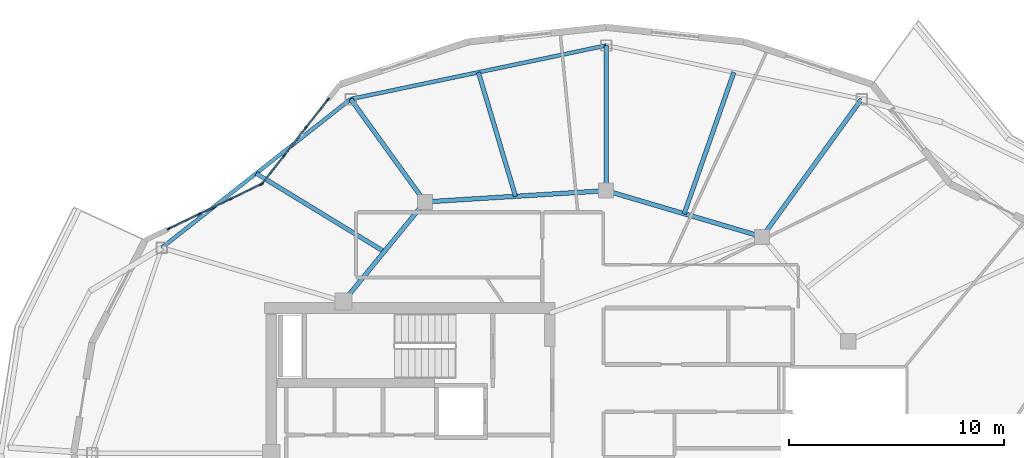
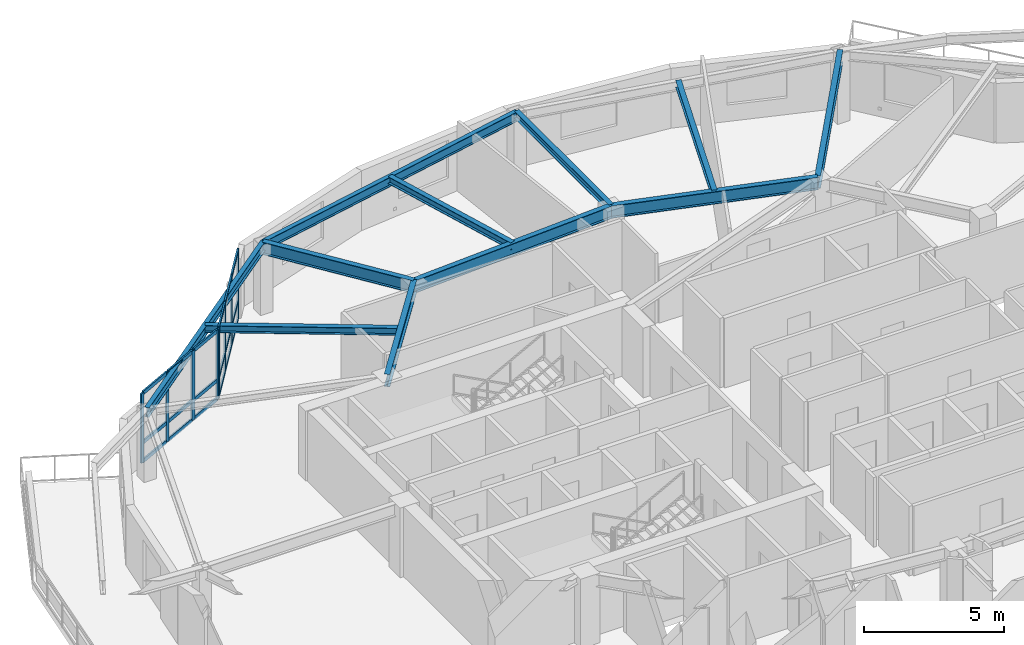
# One storey, part 4 of 14: 26 members, 11 beams, 2 elements without a shape of their own.
"""IFC4 building model written with IfcOpenShell, lengths in metres."""

from ifc_helpers import new_model, si_unit, direction, frame, origin, origin_2d, place, context, subcontext, project, spatial, rectangle, i_section, extrude, material, layer, layer_set, material_profile, profile_set, type_object, element, aggregate, save


model = new_model("IFC4")

# Units and contexts
model_context = context("Model", 3, precision=1e-05, world=origin(), true_north=direction((0.0, 1.0)))
body_context = subcontext(model_context, "Body", "Model", "MODEL_VIEW")
ifc_project = project(units=[si_unit("LENGTHUNIT", "METRE"), si_unit("AREAUNIT", "SQUARE_METRE"), si_unit("VOLUMEUNIT", "CUBIC_METRE"), si_unit("PLANEANGLEUNIT", "RADIAN"), si_unit("MASSUNIT", "GRAM", prefix="KILO")], contexts=[model_context])

# Site, building, storey
site_placement = place(None, origin())
site = spatial("IfcSite", under=ifc_project, at=site_placement, CompositionType="ELEMENT")
building_placement = place(site_placement, origin())
building = spatial("IfcBuilding", under=site, at=building_placement, Name="Kolvaren Gate Tower and Convention Centre", CompositionType="ELEMENT")
storey_placement = place(building_placement, frame((0.0, 0.0, 206.300048828125)))
storey = spatial("IfcBuildingStorey", under=building, at=storey_placement, Name="L54", CompositionType="ELEMENT", Elevation=206.300048828125)

# Curtain wall, members
ifc_material_1 = material(Name="Anodized Architectural Aluminium Alloy 6063-T6", Category="aluminium")
ifc_layer = layer(ifc_material_1, 0.159912109375)
ifc_layer_set = layer_set([ifc_layer], Name="Anodized Architectural Aluminium Alloy 6063-T6")
curtain_wall_type = type_object("IfcCurtainWallType", Name="CW-RES-UNIT", PredefinedType="NOTDEFINED", material=ifc_layer_set)
curtain_wall_1_placement = place(storey_placement, origin())
curtain_wall_1 = element("IfcCurtainWall", 1, at=curtain_wall_1_placement, inside=storey, type_object=curtain_wall_type, Name="Tower L54 Unitised Curtain Wall CW-RES-UNIT Bay 08", PredefinedType="NOTDEFINED")
ifc_material_profile_1 = material_profile(ifc_material_1, rectangle(XDim=0.06494140625, YDim=0.159912109375, at=origin_2d()), Name="CW-MEM-MUL-160")
ifc_profile_set_1 = profile_set([ifc_material_profile_1], Name="Anodized Architectural Aluminium Alloy 6063-T6")
member_type_1 = type_object("IfcMemberType", Name="CW-MEM-MUL-160", PredefinedType="MULLION", material=ifc_profile_set_1)
member_1_placement = place(storey_placement, frame((14.137451171875, 39.532958984375, 0.0), z_axis=(0.0, 0.0, 1.0), x_axis=(-0.787409932974, 0.616429718179, 0.0)))
member_1 = element("IfcMember", 2, at=member_1_placement, type_object=member_type_1, Name="CW-04 mullion 1", PredefinedType="MULLION", context=body_context, shape_type="SweptSolid", body=[
    extrude(rectangle(XDim=0.06494140625, YDim=0.159912109375, at=origin_2d()), origin(), (0.0, 0.0, 1.0), 3.030029296875),
])
member_2_placement = place(storey_placement, frame((15.1484375, 40.82421875, 0.0), z_axis=(0.0, 0.0, 1.0), x_axis=(-0.787409932974, 0.616429718179, 0.0)))
member_2 = element("IfcMember", 3, at=member_2_placement, type_object=member_type_1, Name="CW-04 mullion 2", PredefinedType="MULLION", context=body_context, shape_type="SweptSolid", body=[
    extrude(rectangle(XDim=0.06494140625, YDim=0.159912109375, at=origin_2d()), origin(), (0.0, 0.0, 1.0), 3.030029296875),
])
member_3_placement = place(storey_placement, frame((16.17919921875, 42.140869140625, 0.0), z_axis=(0.0, 0.0, 1.0), x_axis=(-0.787409932974, 0.616429718179, 0.0)))
member_3 = element("IfcMember", 4, at=member_3_placement, type_object=member_type_1, Name="CW-04 mullion 3", PredefinedType="MULLION", context=body_context, shape_type="SweptSolid", body=[
    extrude(rectangle(XDim=0.06494140625, YDim=0.159912109375, at=origin_2d()), origin(), (0.0, 0.0, 1.0), 3.030029296875),
])
member_4_placement = place(storey_placement, frame((17.190185546875, 43.43212890625, 0.0), z_axis=(0.0, 0.0, 1.0), x_axis=(-0.787409932974, 0.616429718179, 0.0)))
member_4 = element("IfcMember", 5, at=member_4_placement, type_object=member_type_1, Name="CW-04 mullion 4", PredefinedType="MULLION", context=body_context, shape_type="SweptSolid", body=[
    extrude(rectangle(XDim=0.06494140625, YDim=0.159912109375, at=origin_2d()), origin(), (0.0, 0.0, 1.0), 3.030029296875),
])

curtain_wall_2_placement = place(storey_placement, origin())
curtain_wall_2 = element("IfcCurtainWall", 6, at=curtain_wall_2_placement, inside=storey, type_object=curtain_wall_type, Name="Tower L54 Unitised Curtain Wall CW-RES-UNIT Bay 09", PredefinedType="NOTDEFINED")
member_5_placement = place(storey_placement, frame((9.78466796875, 37.425537109375, 0.0), z_axis=(0.0, 0.0, 1.0), x_axis=(-0.433065576861, 0.901362416644, 0.0)))
member_5 = element("IfcMember", 7, at=member_5_placement, type_object=member_type_1, Name="CW-04 mullion 1", PredefinedType="MULLION", context=body_context, shape_type="SweptSolid", body=[
    extrude(rectangle(XDim=0.06494140625, YDim=0.159912109375, at=origin_2d()), origin(), (0.0, 0.0, 1.0), 3.030029296875),
])
member_6_placement = place(storey_placement, frame((11.20947265625, 38.110107421875, 0.0), z_axis=(0.0, 0.0, 1.0), x_axis=(-0.433065576861, 0.901362416644, 0.0)))
member_6 = element("IfcMember", 8, at=member_6_placement, type_object=member_type_1, Name="CW-04 mullion 2", PredefinedType="MULLION", context=body_context, shape_type="SweptSolid", body=[
    extrude(rectangle(XDim=0.06494140625, YDim=0.159912109375, at=origin_2d()), origin(), (0.0, 0.0, 1.0), 3.030029296875),
])
member_7_placement = place(storey_placement, frame((12.66357421875, 38.80859375, 0.0), z_axis=(0.0, 0.0, 1.0), x_axis=(-0.433065576861, 0.901362416644, 0.0)))
member_7 = element("IfcMember", 9, at=member_7_placement, type_object=member_type_1, Name="CW-04 mullion 3", PredefinedType="MULLION", context=body_context, shape_type="SweptSolid", body=[
    extrude(rectangle(XDim=0.06494140625, YDim=0.159912109375, at=origin_2d()), origin(), (0.0, 0.0, 1.0), 3.030029296875),
])
member_8_placement = place(storey_placement, frame((14.088134765625, 39.4931640625, 0.0), z_axis=(0.0, 0.0, 1.0), x_axis=(-0.433065576861, 0.901362416644, 0.0)))
member_8 = element("IfcMember", 10, at=member_8_placement, type_object=member_type_1, Name="CW-04 mullion 4", PredefinedType="MULLION", context=body_context, shape_type="SweptSolid", body=[
    extrude(rectangle(XDim=0.06494140625, YDim=0.159912109375, at=origin_2d()), origin(), (0.0, 0.0, 1.0), 3.030029296875),
])

# Member
ifc_material_profile_2 = material_profile(ifc_material_1, rectangle(XDim=0.06494140625, YDim=0.159912109375, at=origin_2d()), Name="CW-MEM-TRN-160")
ifc_profile_set_2 = profile_set([ifc_material_profile_2], Name="Anodized Architectural Aluminium Alloy 6063-T6")
member_type_2 = type_object("IfcMemberType", Name="CW-MEM-TRN-160", PredefinedType="USERDEFINED", material=ifc_profile_set_2)
member_9_placement = place(storey_placement, frame((14.157470703125, 39.55859375, 0.032470703125), z_axis=(0.616513055725, 0.787344684443, 0.0), x_axis=(-0.787344684443, 0.616513055725, 0.0)))
member_9 = element("IfcMember", 11, at=member_9_placement, type_object=member_type_2, Name="CW-04 transom 1.1", ObjectType="TRANSOM", PredefinedType="USERDEFINED", context=body_context, shape_type="SweptSolid", body=[
    extrude(rectangle(XDim=0.06494140625, YDim=0.159912109375, at=origin_2d()), origin(), (0.0, 0.0, 1.0), 1.574951171875),
])

member_10_placement = place(storey_placement, frame((14.157470703125, 39.55859375, 0.849853515625), z_axis=(0.616513055725, 0.787344684443, 0.0), x_axis=(-0.787344684443, 0.616513055725, 0.0)))
member_10 = element("IfcMember", 12, at=member_10_placement, type_object=member_type_2, Name="CW-04 transom 1.2", ObjectType="TRANSOM", PredefinedType="USERDEFINED", context=body_context, shape_type="SweptSolid", body=[
    extrude(rectangle(XDim=0.06494140625, YDim=0.159912109375, at=origin_2d()), origin(), (0.0, 0.0, 1.0), 1.574951171875),
])

member_11_placement = place(storey_placement, frame((14.157470703125, 39.55859375, 2.99755859375), z_axis=(0.616513055725, 0.787344684443, 0.0), x_axis=(-0.787344684443, 0.616513055725, 0.0)))
member_11 = element("IfcMember", 13, at=member_11_placement, type_object=member_type_2, Name="CW-04 transom 1.3", ObjectType="TRANSOM", PredefinedType="USERDEFINED", context=body_context, shape_type="SweptSolid", body=[
    extrude(rectangle(XDim=0.06494140625, YDim=0.159912109375, at=origin_2d()), origin(), (0.0, 0.0, 1.0), 1.574951171875),
])

member_12_placement = place(storey_placement, frame((15.16845703125, 40.849609375, 0.032470703125), z_axis=(0.616398363045, 0.787434478567, 0.0), x_axis=(-0.787434478567, 0.616398363045, 0.0)))
member_12 = element("IfcMember", 14, at=member_12_placement, type_object=member_type_2, Name="CW-04 transom 2.1", ObjectType="TRANSOM", PredefinedType="USERDEFINED", context=body_context, shape_type="SweptSolid", body=[
    extrude(rectangle(XDim=0.06494140625, YDim=0.159912109375, at=origin_2d()), origin(), (0.0, 0.0, 1.0), 1.607177734375),
])

member_13_placement = place(storey_placement, frame((15.16845703125, 40.849609375, 0.849853515625), z_axis=(0.616398363045, 0.787434478567, 0.0), x_axis=(-0.787434478567, 0.616398363045, 0.0)))
member_13 = element("IfcMember", 15, at=member_13_placement, type_object=member_type_2, Name="CW-04 transom 2.2", ObjectType="TRANSOM", PredefinedType="USERDEFINED", context=body_context, shape_type="SweptSolid", body=[
    extrude(rectangle(XDim=0.06494140625, YDim=0.159912109375, at=origin_2d()), origin(), (0.0, 0.0, 1.0), 1.607177734375),
])

member_14_placement = place(storey_placement, frame((15.16845703125, 40.849609375, 2.99755859375), z_axis=(0.616398363045, 0.787434478567, 0.0), x_axis=(-0.787434478567, 0.616398363045, 0.0)))
member_14 = element("IfcMember", 16, at=member_14_placement, type_object=member_type_2, Name="CW-04 transom 2.3", ObjectType="TRANSOM", PredefinedType="USERDEFINED", context=body_context, shape_type="SweptSolid", body=[
    extrude(rectangle(XDim=0.06494140625, YDim=0.159912109375, at=origin_2d()), origin(), (0.0, 0.0, 1.0), 1.607177734375),
])

member_15_placement = place(storey_placement, frame((16.19921875, 42.16650390625, 0.032470703125), z_axis=(0.616416943475, 0.787419933579, 0.0), x_axis=(-0.787419933579, 0.616416943475, 0.0)))
member_15 = element("IfcMember", 17, at=member_15_placement, type_object=member_type_2, Name="CW-04 transom 3.1", ObjectType="TRANSOM", PredefinedType="USERDEFINED", context=body_context, shape_type="SweptSolid", body=[
    extrude(rectangle(XDim=0.06494140625, YDim=0.159912109375, at=origin_2d()), origin(), (0.0, 0.0, 1.0), 1.57470703125),
])

member_16_placement = place(storey_placement, frame((16.19921875, 42.16650390625, 0.849853515625), z_axis=(0.616416943475, 0.787419933579, 0.0), x_axis=(-0.787419933579, 0.616416943475, 0.0)))
member_16 = element("IfcMember", 18, at=member_16_placement, type_object=member_type_2, Name="CW-04 transom 3.2", ObjectType="TRANSOM", PredefinedType="USERDEFINED", context=body_context, shape_type="SweptSolid", body=[
    extrude(rectangle(XDim=0.06494140625, YDim=0.159912109375, at=origin_2d()), origin(), (0.0, 0.0, 1.0), 1.57470703125),
])

member_17_placement = place(storey_placement, frame((16.19921875, 42.16650390625, 2.99755859375), z_axis=(0.616416943475, 0.787419933579, 0.0), x_axis=(-0.787419933579, 0.616416943475, 0.0)))
member_17 = element("IfcMember", 19, at=member_17_placement, type_object=member_type_2, Name="CW-04 transom 3.3", ObjectType="TRANSOM", PredefinedType="USERDEFINED", context=body_context, shape_type="SweptSolid", body=[
    extrude(rectangle(XDim=0.06494140625, YDim=0.159912109375, at=origin_2d()), origin(), (0.0, 0.0, 1.0), 1.57470703125),
])

aggregate(curtain_wall_1, [member_1, member_2, member_3, member_4, member_9, member_10, member_11, member_12, member_13, member_14, member_15, member_16, member_17])

member_18_placement = place(storey_placement, frame((9.81396484375, 37.439697265625, 0.032470703125), z_axis=(0.901402369702, 0.432982410607, 0.0), x_axis=(-0.432982410607, 0.901402369702, 0.0)))
member_18 = element("IfcMember", 20, at=member_18_placement, type_object=member_type_2, Name="CW-04 transom 1.1", ObjectType="TRANSOM", PredefinedType="USERDEFINED", context=body_context, shape_type="SweptSolid", body=[
    extrude(rectangle(XDim=0.06494140625, YDim=0.159912109375, at=origin_2d()), origin(), (0.0, 0.0, 1.0), 1.515625),
])

member_19_placement = place(storey_placement, frame((9.81396484375, 37.439697265625, 0.849853515625), z_axis=(0.901402369702, 0.432982410607, 0.0), x_axis=(-0.432982410607, 0.901402369702, 0.0)))
member_19 = element("IfcMember", 21, at=member_19_placement, type_object=member_type_2, Name="CW-04 transom 1.2", ObjectType="TRANSOM", PredefinedType="USERDEFINED", context=body_context, shape_type="SweptSolid", body=[
    extrude(rectangle(XDim=0.06494140625, YDim=0.159912109375, at=origin_2d()), origin(), (0.0, 0.0, 1.0), 1.515625),
])

member_20_placement = place(storey_placement, frame((9.81396484375, 37.439697265625, 2.99755859375), z_axis=(0.901402369702, 0.432982410607, 0.0), x_axis=(-0.432982410607, 0.901402369702, 0.0)))
member_20 = element("IfcMember", 22, at=member_20_placement, type_object=member_type_2, Name="CW-04 transom 1.3", ObjectType="TRANSOM", PredefinedType="USERDEFINED", context=body_context, shape_type="SweptSolid", body=[
    extrude(rectangle(XDim=0.06494140625, YDim=0.159912109375, at=origin_2d()), origin(), (0.0, 0.0, 1.0), 1.515625),
])

member_21_placement = place(storey_placement, frame((11.23876953125, 38.124267578125, 0.032470703125), z_axis=(0.901380283866, 0.433028386896, 0.0), x_axis=(-0.433028386896, 0.901380283866, 0.0)))
member_21 = element("IfcMember", 23, at=member_21_placement, type_object=member_type_2, Name="CW-04 transom 2.1", ObjectType="TRANSOM", PredefinedType="USERDEFINED", context=body_context, shape_type="SweptSolid", body=[
    extrude(rectangle(XDim=0.06494140625, YDim=0.159912109375, at=origin_2d()), origin(), (0.0, 0.0, 1.0), 1.548095703125),
])

member_22_placement = place(storey_placement, frame((11.23876953125, 38.124267578125, 0.849853515625), z_axis=(0.901380283866, 0.433028386896, 0.0), x_axis=(-0.433028386896, 0.901380283866, 0.0)))
member_22 = element("IfcMember", 24, at=member_22_placement, type_object=member_type_2, Name="CW-04 transom 2.2", ObjectType="TRANSOM", PredefinedType="USERDEFINED", context=body_context, shape_type="SweptSolid", body=[
    extrude(rectangle(XDim=0.06494140625, YDim=0.159912109375, at=origin_2d()), origin(), (0.0, 0.0, 1.0), 1.548095703125),
])

member_23_placement = place(storey_placement, frame((11.23876953125, 38.124267578125, 2.99755859375), z_axis=(0.901380283866, 0.433028386896, 0.0), x_axis=(-0.433028386896, 0.901380283866, 0.0)))
member_23 = element("IfcMember", 25, at=member_23_placement, type_object=member_type_2, Name="CW-04 transom 2.3", ObjectType="TRANSOM", PredefinedType="USERDEFINED", context=body_context, shape_type="SweptSolid", body=[
    extrude(rectangle(XDim=0.06494140625, YDim=0.159912109375, at=origin_2d()), origin(), (0.0, 0.0, 1.0), 1.548095703125),
])

member_24_placement = place(storey_placement, frame((12.69287109375, 38.82275390625, 0.032470703125), z_axis=(0.901309275583, 0.433176164797, 0.0), x_axis=(-0.433176164797, 0.901309275583, 0.0)))
member_24 = element("IfcMember", 26, at=member_24_placement, type_object=member_type_2, Name="CW-04 transom 3.1", ObjectType="TRANSOM", PredefinedType="USERDEFINED", context=body_context, shape_type="SweptSolid", body=[
    extrude(rectangle(XDim=0.06494140625, YDim=0.159912109375, at=origin_2d()), origin(), (0.0, 0.0, 1.0), 1.515625),
])

member_25_placement = place(storey_placement, frame((12.69287109375, 38.82275390625, 0.849853515625), z_axis=(0.901309275583, 0.433176164797, 0.0), x_axis=(-0.433176164797, 0.901309275583, 0.0)))
member_25 = element("IfcMember", 27, at=member_25_placement, type_object=member_type_2, Name="CW-04 transom 3.2", ObjectType="TRANSOM", PredefinedType="USERDEFINED", context=body_context, shape_type="SweptSolid", body=[
    extrude(rectangle(XDim=0.06494140625, YDim=0.159912109375, at=origin_2d()), origin(), (0.0, 0.0, 1.0), 1.515625),
])

member_26_placement = place(storey_placement, frame((12.69287109375, 38.82275390625, 2.99755859375), z_axis=(0.901309275583, 0.433176164797, 0.0), x_axis=(-0.433176164797, 0.901309275583, 0.0)))
member_26 = element("IfcMember", 28, at=member_26_placement, type_object=member_type_2, Name="CW-04 transom 3.3", ObjectType="TRANSOM", PredefinedType="USERDEFINED", context=body_context, shape_type="SweptSolid", body=[
    extrude(rectangle(XDim=0.06494140625, YDim=0.159912109375, at=origin_2d()), origin(), (0.0, 0.0, 1.0), 1.515625),
])

aggregate(curtain_wall_2, [member_5, member_6, member_7, member_8, member_18, member_19, member_20, member_21, member_22, member_23, member_24, member_25, member_26])

# Beams
ifc_material_2 = material(Name="Structural steel ASTM A992 Grade 345 MPa", Category="steel")
ifc_material_profile_3 = material_profile(ifc_material_2, i_section(OverallWidth=0.2119140625, OverallDepth=0.5439453125, WebThickness=0.01318359375, FlangeThickness=0.021240234375, at=origin_2d()), Name="W530X123")
ifc_profile_set_3 = profile_set([ifc_material_profile_3], Name="Structural steel ASTM A992 Grade 345 MPa")
beam_type_1 = type_object("IfcBeamType", Name="STR-BM-W530X123", PredefinedType="BEAM", material=ifc_profile_set_3)
beam_1_placement = place(storey_placement, frame((37.381591796875, 37.054931640625, 2.758056640625), z_axis=(-0.958980837827, 0.283470902706, 0.0), x_axis=(-0.283470902706, -0.958980837827, 0.0)))
element("IfcBeam", 29, at=beam_1_placement, inside=storey, type_object=beam_type_1, Name="Tower L54 Primary Ring Girder G-03", PredefinedType="BEAM", context=body_context, shape_type="SweptSolid", body=[
    extrude(i_section(OverallWidth=0.2119140625, OverallDepth=0.5439453125, WebThickness=0.01318359375, FlangeThickness=0.021240234375, at=origin_2d()), origin(), (0.0, 0.0, 1.0), 7.56689453125),
])
beam_2_placement = place(storey_placement, frame((30.125, 39.199951171875, 2.758056640625), z_axis=(-0.998078258568, -0.06196603726, 0.0), x_axis=(0.06196603726, -0.998078258568, 0.0)))
element("IfcBeam", 30, at=beam_2_placement, inside=storey, type_object=beam_type_1, Name="Tower L54 Primary Ring Girder G-04", PredefinedType="BEAM", context=body_context, shape_type="SweptSolid", body=[
    extrude(i_section(OverallWidth=0.2119140625, OverallDepth=0.5439453125, WebThickness=0.01318359375, FlangeThickness=0.021240234375, at=origin_2d()), origin(), (0.0, 0.0, 1.0), 8.443115234375),
])
beam_3_placement = place(storey_placement, frame((21.697998046875, 38.6767578125, 2.758056640625), z_axis=(-0.633082074904, -0.774084676528, 0.0), x_axis=(0.774084676528, -0.633082074904, 0.0)))
element("IfcBeam", 31, at=beam_3_placement, inside=storey, type_object=beam_type_1, Name="Tower L54 Primary Ring Girder G-05", PredefinedType="BEAM", context=body_context, shape_type="SweptSolid", body=[
    extrude(i_section(OverallWidth=0.2119140625, OverallDepth=0.5439453125, WebThickness=0.01318359375, FlangeThickness=0.021240234375, at=origin_2d()), origin(), (0.0, 0.0, 1.0), 5.97705078125),
])
beam_4_placement = place(storey_placement, frame((37.381591796875, 37.054931640625, 2.758056640625), z_axis=(0.585211694794, 0.810880553643, 0.0), x_axis=(-0.810880553643, 0.585211694794, 0.0)))
element("IfcBeam", 32, at=beam_4_placement, inside=storey, type_object=beam_type_1, Name="Tower L54 Radial Floor Girder RB-03", PredefinedType="BEAM", context=body_context, shape_type="SweptSolid", body=[
    extrude(i_section(OverallWidth=0.2119140625, OverallDepth=0.5439453125, WebThickness=0.01318359375, FlangeThickness=0.021240234375, at=origin_2d()), origin(), (0.0, 0.0, 1.0), 7.896484375),
])
beam_5_placement = place(storey_placement, frame((21.697998046875, 38.6767578125, 2.758056640625), z_axis=(-0.585218406802, 0.810875709552, 0.0), x_axis=(-0.810875709552, -0.585218406802, 0.0)))
element("IfcBeam", 33, at=beam_5_placement, inside=storey, type_object=beam_type_1, Name="Tower L54 Radial Floor Girder RB-05", PredefinedType="BEAM", context=body_context, shape_type="SweptSolid", body=[
    extrude(i_section(OverallWidth=0.2119140625, OverallDepth=0.5439453125, WebThickness=0.01318359375, FlangeThickness=0.021240234375, at=origin_2d()), origin(), (0.0, 0.0, 1.0), 5.896484375),
])
ifc_material_profile_4 = material_profile(ifc_material_2, i_section(OverallWidth=0.205078125, OverallDepth=0.31005859375, WebThickness=0.009521484375, FlangeThickness=0.016357421875, at=origin_2d()), Name="W310X74")
ifc_profile_set_4 = profile_set([ifc_material_profile_4], Name="Structural steel ASTM A992 Grade 345 MPa")
beam_type_2 = type_object("IfcBeamType", Name="STR-JS-W310X74", PredefinedType="JOIST", material=ifc_profile_set_4)
beam_6_placement = place(storey_placement, frame((30.125, 39.199951171875, 2.875), z_axis=(0.0, 1.0, 0.0), x_axis=(-1.0, 0.0, 0.0)))
element("IfcBeam", 34, at=beam_6_placement, inside=storey, type_object=beam_type_2, Name="Tower L54 Radial Floor Girder RB-04", PredefinedType="JOIST", context=body_context, shape_type="SweptSolid", body=[
    extrude(i_section(OverallWidth=0.205078125, OverallDepth=0.31005859375, WebThickness=0.009521484375, FlangeThickness=0.016357421875, at=origin_2d()), origin(), (0.0, 0.0, 1.0), 6.75),
])
beam_7_placement = place(storey_placement, frame((33.75341796875, 38.12744140625, 2.875), z_axis=(0.331432911821, 0.943478788824, 0.0), x_axis=(-0.943478788824, 0.331432911821, 0.0)))
element("IfcBeam", 35, at=beam_7_placement, inside=storey, type_object=beam_type_2, Name="Tower L54 Secondary Composite Floor Joist J-03.1", PredefinedType="JOIST", context=body_context, shape_type="SweptSolid", body=[
    extrude(i_section(OverallWidth=0.205078125, OverallDepth=0.31005859375, WebThickness=0.009521484375, FlangeThickness=0.016357421875, at=origin_2d()), origin(), (0.0, 0.0, 1.0), 6.970703125),
])
beam_8_placement = place(storey_placement, frame((25.91162109375, 38.938232421875, 2.875), z_axis=(-0.286674209033, 0.958028130002, 0.0), x_axis=(-0.958028130002, -0.286674209033, 0.0)))
element("IfcBeam", 36, at=beam_8_placement, inside=storey, type_object=beam_type_2, Name="Tower L54 Secondary Composite Floor Joist J-04.1", PredefinedType="JOIST", context=body_context, shape_type="SweptSolid", body=[
    extrude(i_section(OverallWidth=0.205078125, OverallDepth=0.31005859375, WebThickness=0.009521484375, FlangeThickness=0.016357421875, at=origin_2d()), origin(), (0.0, 0.0, 1.0), 6.0185546875),
])
beam_9_placement = place(storey_placement, frame((19.805908203125, 36.36328125, 2.875), z_axis=(-0.853232509014, 0.52153071392, 0.0), x_axis=(-0.52153071392, -0.853232509014, 0.0)))
element("IfcBeam", 37, at=beam_9_placement, inside=storey, type_object=beam_type_2, Name="Tower L54 Secondary Composite Floor Joist J-05.1", PredefinedType="JOIST", context=body_context, shape_type="SweptSolid", body=[
    extrude(i_section(OverallWidth=0.205078125, OverallDepth=0.31005859375, WebThickness=0.009521484375, FlangeThickness=0.016357421875, at=origin_2d()), origin(), (0.0, 0.0, 1.0), 6.974609375),
])
ifc_material_profile_5 = material_profile(ifc_material_2, i_section(OverallWidth=0.180908203125, OverallDepth=0.4169921875, WebThickness=0.010986328125, FlangeThickness=0.018310546875, at=origin_2d()), Name="W410X85")
ifc_profile_set_5 = profile_set([ifc_material_profile_5], Name="Structural steel ASTM A992 Grade 345 MPa")
beam_type_3 = type_object("IfcBeamType", Name="STR-SP-W410X85", PredefinedType="SPANDREL", material=ifc_profile_set_5)
beam_10_placement = place(storey_placement, frame((30.125, 45.949951171875, 2.821533203125), z_axis=(-0.978692765917, -0.205330148645, 0.0), x_axis=(0.205330148645, -0.978692765917, 0.0)))
element("IfcBeam", 38, at=beam_10_placement, inside=storey, type_object=beam_type_3, Name="Tower L54 Perimeter Spandrel Beam SP-04", PredefinedType="SPANDREL", context=body_context, shape_type="SweptSolid", body=[
    extrude(i_section(OverallWidth=0.180908203125, OverallDepth=0.4169921875, WebThickness=0.010986328125, FlangeThickness=0.018310546875, at=origin_2d()), origin(), (0.0, 0.0, 1.0), 12.13623046875),
])
beam_11_placement = place(storey_placement, frame((18.247314453125, 43.4580078125, 2.821533203125), z_axis=(-0.78579365551, -0.618488747643, 0.0), x_axis=(0.618488747643, -0.78579365551, 0.0)))
element("IfcBeam", 39, at=beam_11_placement, inside=storey, type_object=beam_type_3, Name="Tower L54 Perimeter Spandrel Beam SP-05", PredefinedType="SPANDREL", context=body_context, shape_type="SweptSolid", body=[
    extrude(i_section(OverallWidth=0.180908203125, OverallDepth=0.4169921875, WebThickness=0.010986328125, FlangeThickness=0.018310546875, at=origin_2d()), origin(), (0.0, 0.0, 1.0), 11.179443359375),
])

save(model, "model.ifc")
